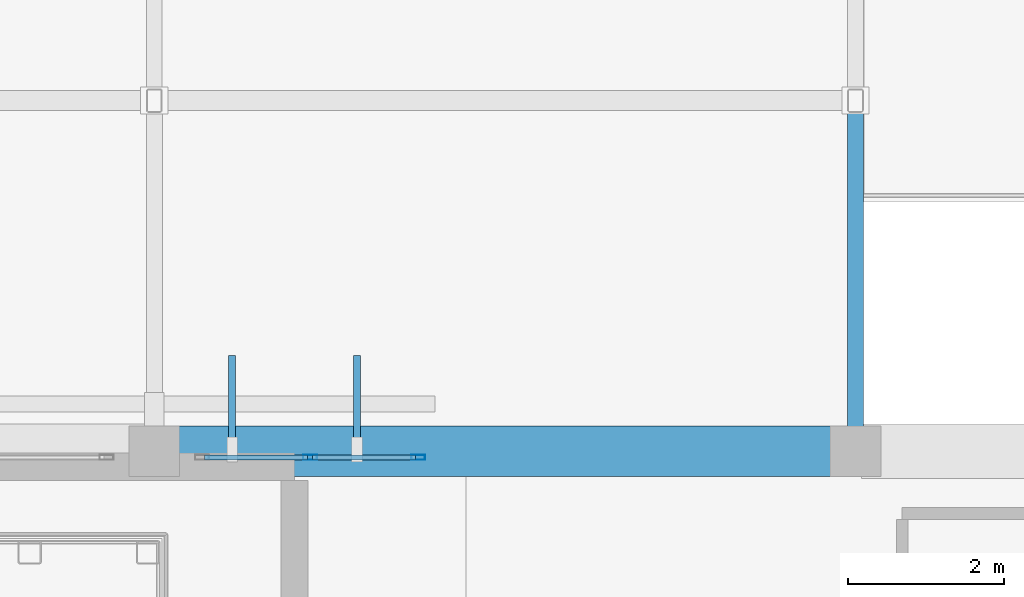
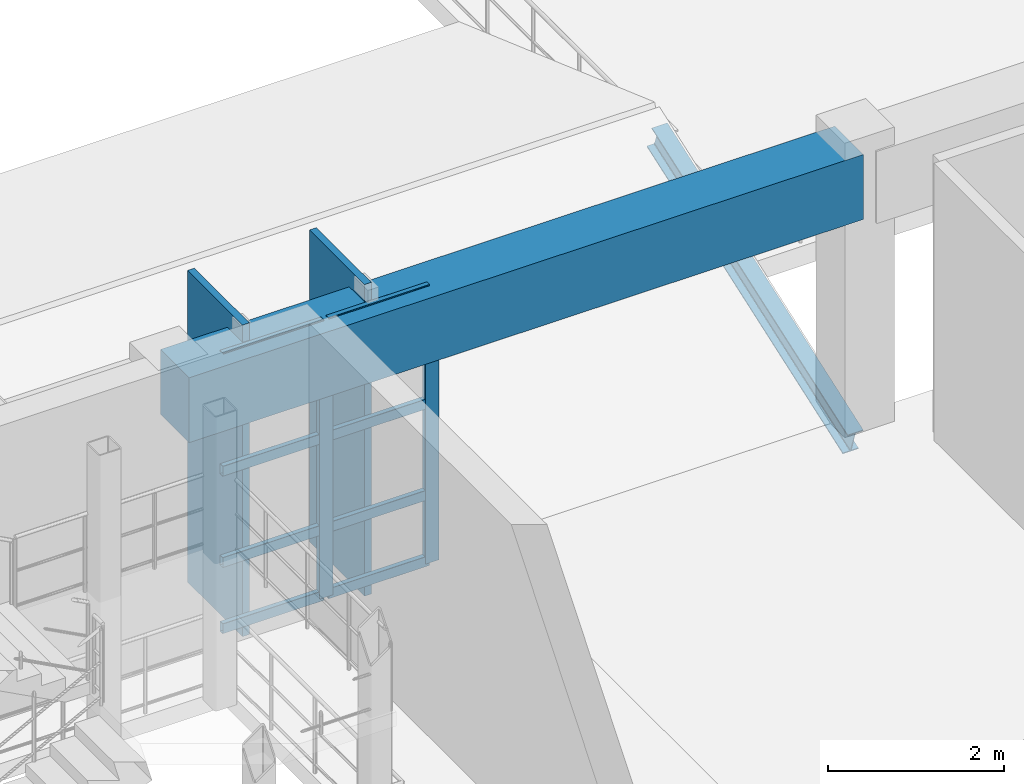
# One storey, part 45 of 80: 13 members, 1 beam, 1 element without a shape of its own.
"""IFC4 building model written with IfcOpenShell, lengths in metres."""

from ifc_helpers import new_model, si_unit, direction, frame, origin, origin_2d, place, context, subcontext, project, spatial, rectangle, hollow_rectangle, i_section, extrude, material, material_profile, profile_set, type_object, element, aggregate, save


model = new_model("IFC4")

# Units and contexts
model_context = context("Model", 3, precision=1e-05, world=origin(), true_north=direction((0.0, 1.0)))
body_context = subcontext(model_context, "Body", "Model", "MODEL_VIEW")
ifc_project = project(units=[si_unit("LENGTHUNIT", "METRE"), si_unit("AREAUNIT", "SQUARE_METRE"), si_unit("VOLUMEUNIT", "CUBIC_METRE"), si_unit("PLANEANGLEUNIT", "RADIAN"), si_unit("MASSUNIT", "GRAM", prefix="KILO")], contexts=[model_context])

# Site, building, storey
site_placement = place(None, origin())
site = spatial("IfcSite", under=ifc_project, at=site_placement, CompositionType="ELEMENT")
building_placement = place(site_placement, origin())
building = spatial("IfcBuilding", under=site, at=building_placement, Name="Miravela Opera House", CompositionType="ELEMENT")
storey_placement = place(building_placement, frame((0.0, 0.0, 17.679931640625)))
storey = spatial("IfcBuildingStorey", under=building, at=storey_placement, Name="L04", CompositionType="ELEMENT", Elevation=17.679931640625)

# Curtain wall, members
ifc_material_1 = material(Name="Anodised architectural bronze aluminium 6063-T6", Category="aluminium")
curtain_wall_type = type_object("IfcCurtainWallType", Name="ARC-CW-02", PredefinedType="NOTDEFINED", material=ifc_material_1)
curtain_wall_placement = place(storey_placement, origin())
curtain_wall = element("IfcCurtainWall", 1, at=curtain_wall_placement, inside=storey, type_object=curtain_wall_type, Name="Auditorium North Wrapper Glazing CW-L04-045", PredefinedType="NOTDEFINED")
ifc_material_profile_1 = material_profile(ifc_material_1, hollow_rectangle(XDim=0.06494140625, YDim=0.179931640625, WallThickness=0.00390625, InnerFilletRadius=0.001953125, OuterFilletRadius=0.00390625, at=origin_2d()), Name="CWM-65X180")
ifc_profile_set_1 = profile_set([ifc_material_profile_1])
member_type_1 = type_object("IfcMemberType", Name="ARC-CWM-180", PredefinedType="MULLION", material=ifc_profile_set_1)
member_1_placement = place(storey_placement, frame((56.0, 74.919921875, 0.0), z_axis=(0.0, 0.0, 1.0), x_axis=(0.0, 1.0, 0.0)))
member_1 = element("IfcMember", 2, at=member_1_placement, type_object=member_type_1, Name="CW-02 mullion 2", PredefinedType="MULLION", context=body_context, shape_type="SweptSolid", body=[
    extrude(hollow_rectangle(XDim=0.06494140625, YDim=0.179931640625, WallThickness=0.00390625, InnerFilletRadius=0.001953125, OuterFilletRadius=0.00390625, at=origin_2d()), origin(), (0.0, 0.0, 1.0), 3.820068359375),
])
member_2_placement = place(storey_placement, frame((57.387451171875, 74.919921875, 0.0), z_axis=(0.0, 0.0, 1.0), x_axis=(0.0, 1.0, 0.0)))
member_2 = element("IfcMember", 3, at=member_2_placement, type_object=member_type_1, Name="CW-02 mullion 3", PredefinedType="MULLION", context=body_context, shape_type="SweptSolid", body=[
    extrude(hollow_rectangle(XDim=0.06494140625, YDim=0.179931640625, WallThickness=0.00390625, InnerFilletRadius=0.001953125, OuterFilletRadius=0.00390625, at=origin_2d()), origin(), (0.0, 0.0, 1.0), 3.820068359375),
])
ifc_material_profile_2 = material_profile(ifc_material_1, hollow_rectangle(XDim=0.06494140625, YDim=0.139892578125, WallThickness=0.00390625, InnerFilletRadius=0.001953125, OuterFilletRadius=0.00390625, at=origin_2d()), Name="CWT-65X140")
ifc_profile_set_2 = profile_set([ifc_material_profile_2])
member_type_2 = type_object("IfcMemberType", Name="ARC-CWT-140", PredefinedType="USERDEFINED", material=ifc_profile_set_2)
member_3_placement = place(storey_placement, frame((54.64501953125, 74.919921875, 0.032470703125), z_axis=(1.0, 0.0, 0.0), x_axis=(0.0, 1.0, 0.0)))
member_3 = element("IfcMember", 4, at=member_3_placement, type_object=member_type_2, Name="CW-02 transom 1.1", ObjectType="TRANSOM", PredefinedType="USERDEFINED", context=body_context, shape_type="SweptSolid", body=[
    extrude(hollow_rectangle(XDim=0.06494140625, YDim=0.139892578125, WallThickness=0.00390625, InnerFilletRadius=0.001953125, OuterFilletRadius=0.00390625, at=origin_2d()), origin(), (0.0, 0.0, 1.0), 1.322509765625),
])
member_4_placement = place(storey_placement, frame((54.64501953125, 74.919921875, 0.949951171875), z_axis=(1.0, 0.0, 0.0), x_axis=(0.0, 1.0, 0.0)))
member_4 = element("IfcMember", 5, at=member_4_placement, type_object=member_type_2, Name="CW-02 transom 1.2", ObjectType="TRANSOM", PredefinedType="USERDEFINED", context=body_context, shape_type="SweptSolid", body=[
    extrude(hollow_rectangle(XDim=0.06494140625, YDim=0.139892578125, WallThickness=0.00390625, InnerFilletRadius=0.001953125, OuterFilletRadius=0.00390625, at=origin_2d()), origin(), (0.0, 0.0, 1.0), 1.322509765625),
])
member_5_placement = place(storey_placement, frame((54.64501953125, 74.919921875, 2.215576171875), z_axis=(1.0, 0.0, 0.0), x_axis=(0.0, 1.0, 0.0)))
member_5 = element("IfcMember", 6, at=member_5_placement, type_object=member_type_2, Name="CW-02 transom 1.3", ObjectType="TRANSOM", PredefinedType="USERDEFINED", context=body_context, shape_type="SweptSolid", body=[
    extrude(hollow_rectangle(XDim=0.06494140625, YDim=0.139892578125, WallThickness=0.00390625, InnerFilletRadius=0.001953125, OuterFilletRadius=0.00390625, at=origin_2d()), origin(), (0.0, 0.0, 1.0), 1.322509765625),
])
member_6_placement = place(storey_placement, frame((54.64501953125, 74.919921875, 3.78759765625), z_axis=(1.0, 0.0, 0.0), x_axis=(0.0, 1.0, 0.0)))
member_6 = element("IfcMember", 7, at=member_6_placement, type_object=member_type_2, Name="CW-02 transom 1.4", ObjectType="TRANSOM", PredefinedType="USERDEFINED", context=body_context, shape_type="SweptSolid", body=[
    extrude(hollow_rectangle(XDim=0.06494140625, YDim=0.139892578125, WallThickness=0.00390625, InnerFilletRadius=0.001953125, OuterFilletRadius=0.00390625, at=origin_2d()), origin(), (0.0, 0.0, 1.0), 1.322509765625),
])
member_7_placement = place(storey_placement, frame((56.032470703125, 74.919921875, 0.032470703125), z_axis=(1.0, 0.0, 0.0), x_axis=(0.0, 1.0, 0.0)))
member_7 = element("IfcMember", 8, at=member_7_placement, type_object=member_type_2, Name="CW-02 transom 2.1", ObjectType="TRANSOM", PredefinedType="USERDEFINED", context=body_context, shape_type="SweptSolid", body=[
    extrude(hollow_rectangle(XDim=0.06494140625, YDim=0.139892578125, WallThickness=0.00390625, InnerFilletRadius=0.001953125, OuterFilletRadius=0.00390625, at=origin_2d()), origin(), (0.0, 0.0, 1.0), 1.322509765625),
])
member_8_placement = place(storey_placement, frame((56.032470703125, 74.919921875, 0.949951171875), z_axis=(1.0, 0.0, 0.0), x_axis=(0.0, 1.0, 0.0)))
member_8 = element("IfcMember", 9, at=member_8_placement, type_object=member_type_2, Name="CW-02 transom 2.2", ObjectType="TRANSOM", PredefinedType="USERDEFINED", context=body_context, shape_type="SweptSolid", body=[
    extrude(hollow_rectangle(XDim=0.06494140625, YDim=0.139892578125, WallThickness=0.00390625, InnerFilletRadius=0.001953125, OuterFilletRadius=0.00390625, at=origin_2d()), origin(), (0.0, 0.0, 1.0), 1.322509765625),
])
member_9_placement = place(storey_placement, frame((56.032470703125, 74.919921875, 2.215576171875), z_axis=(1.0, 0.0, 0.0), x_axis=(0.0, 1.0, 0.0)))
member_9 = element("IfcMember", 10, at=member_9_placement, type_object=member_type_2, Name="CW-02 transom 2.3", ObjectType="TRANSOM", PredefinedType="USERDEFINED", context=body_context, shape_type="SweptSolid", body=[
    extrude(hollow_rectangle(XDim=0.06494140625, YDim=0.139892578125, WallThickness=0.00390625, InnerFilletRadius=0.001953125, OuterFilletRadius=0.00390625, at=origin_2d()), origin(), (0.0, 0.0, 1.0), 1.322509765625),
])
member_10_placement = place(storey_placement, frame((56.032470703125, 74.919921875, 3.78759765625), z_axis=(1.0, 0.0, 0.0), x_axis=(0.0, 1.0, 0.0)))
member_10 = element("IfcMember", 11, at=member_10_placement, type_object=member_type_2, Name="CW-02 transom 2.4", ObjectType="TRANSOM", PredefinedType="USERDEFINED", context=body_context, shape_type="SweptSolid", body=[
    extrude(hollow_rectangle(XDim=0.06494140625, YDim=0.139892578125, WallThickness=0.00390625, InnerFilletRadius=0.001953125, OuterFilletRadius=0.00390625, at=origin_2d()), origin(), (0.0, 0.0, 1.0), 1.322509765625),
])
aggregate(curtain_wall, [member_1, member_2, member_3, member_4, member_5, member_6, member_7, member_8, member_9, member_10])

# Members
ifc_material_profile_3 = material_profile(ifc_material_1, rectangle(XDim=0.090087890625, YDim=1.25, at=origin_2d()), Name="FIN-1250X90")
ifc_profile_set_3 = profile_set([ifc_material_profile_3])
member_type_3 = type_object("IfcMemberType", Name="ARC-FIN-1250", PredefinedType="USERDEFINED", material=ifc_profile_set_3)
for number, where, z_axis, x_axis, name in (
    (12, (55.0, 75.60498046875, -0.239990234375), (0.0, 0.0, 1.0), (1.0, 0.0, 0.0), "Auditorium Wrapper Bronze Solar Fin FIN-L04-NORTH-0137"),
    (13, (56.60009765625, 75.60498046875, -0.239990234375), (0.0, 0.0, 1.0), (1.0, 0.0, 0.0), "Auditorium Wrapper Bronze Solar Fin FIN-L04-NORTH-0139"),
):
    element("IfcMember", number, at=place(storey_placement, frame(where, z_axis=z_axis, x_axis=x_axis)), inside=storey, type_object=member_type_3, Name=name, ObjectType="FIN", PredefinedType="USERDEFINED", context=body_context, shape_type="SweptSolid", body=[
        extrude(rectangle(XDim=0.090087890625, YDim=1.25, at=origin_2d()), origin(), (0.0, 0.0, 1.0), 4.320068359375),
    ])

# Beam
ifc_material_2 = material(Name="Concrete C40/50", Category="concrete")
ifc_material_profile_4 = material_profile(ifc_material_2, rectangle(XDim=0.64990234375, YDim=0.89990234375, at=origin_2d()), Name="RC-BM-650X900")
ifc_profile_set_4 = profile_set([ifc_material_profile_4])
beam_type = type_object("IfcBeamType", Name="STR-BM-RC650X900", PredefinedType="BEAM", material=ifc_profile_set_4)
beam_placement = place(storey_placement, frame((54.080078125, 75.0, 3.39013671875), z_axis=(1.0, 0.0, 0.0), x_axis=(0.0, 1.0, 0.0)))
element("IfcBeam", 14, at=beam_placement, inside=storey, type_object=beam_type, Name="Floor Girder L04 7-8/I", PredefinedType="BEAM", context=body_context, shape_type="SweptSolid", body=[
    extrude(rectangle(XDim=0.64990234375, YDim=0.89990234375, at=origin_2d()), origin(), (0.0, 0.0, 1.0), 8.83984375),
])

# Member
ifc_material_3 = material(Name="Structural steel ASTM A992 Gr. 50", Category="steel")
ifc_material_profile_5 = material_profile(ifc_material_3, i_section(OverallWidth=0.2041015625, OverallDepth=0.35009765625, WebThickness=0.008544921875, FlangeThickness=0.01513671875, FilletRadius=0.013916015625, at=origin_2d()), Name="W360X72")
ifc_profile_set_5 = profile_set([ifc_material_profile_5])
member_type_4 = type_object("IfcMemberType", Name="STR-MEM-RAFTER-1", PredefinedType="RAFTER", material=ifc_profile_set_5)
member_11_placement = place(storey_placement, frame((63.0, 75.050048828125, -0.39990234375), z_axis=(0.0, 0.943687918104, 0.3308369889), x_axis=(-1.0, 0.0, 0.0)))
element("IfcMember", 15, at=member_11_placement, inside=storey, type_object=member_type_4, Name="Pitched Roof Rafter ROOF-V3-WEST-S S5", PredefinedType="RAFTER", context=body_context, shape_type="SweptSolid", body=[
    extrude(i_section(OverallWidth=0.2041015625, OverallDepth=0.35009765625, WebThickness=0.008544921875, FlangeThickness=0.01513671875, FilletRadius=0.013916015625, at=origin_2d()), origin(), (0.0, 0.0, 1.0), 4.715576171875),
])

save(model, "model.ifc")
